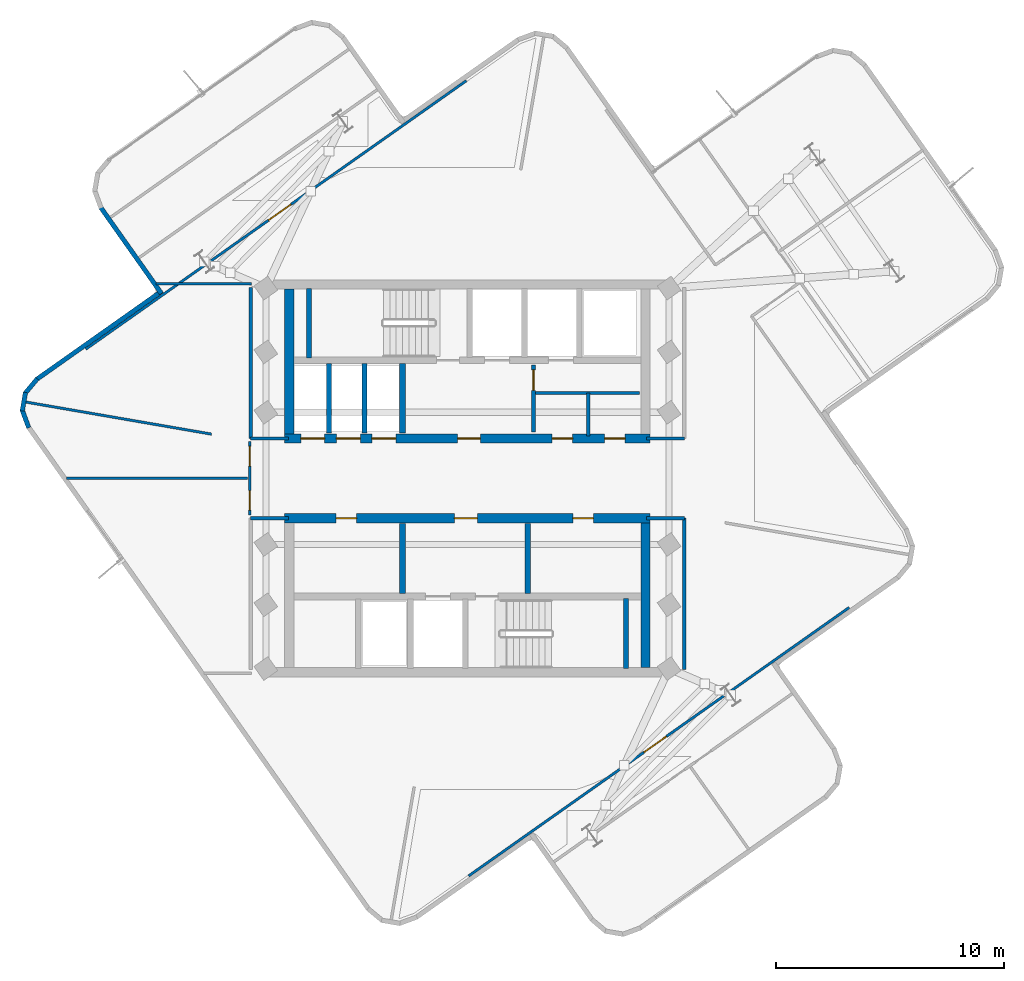
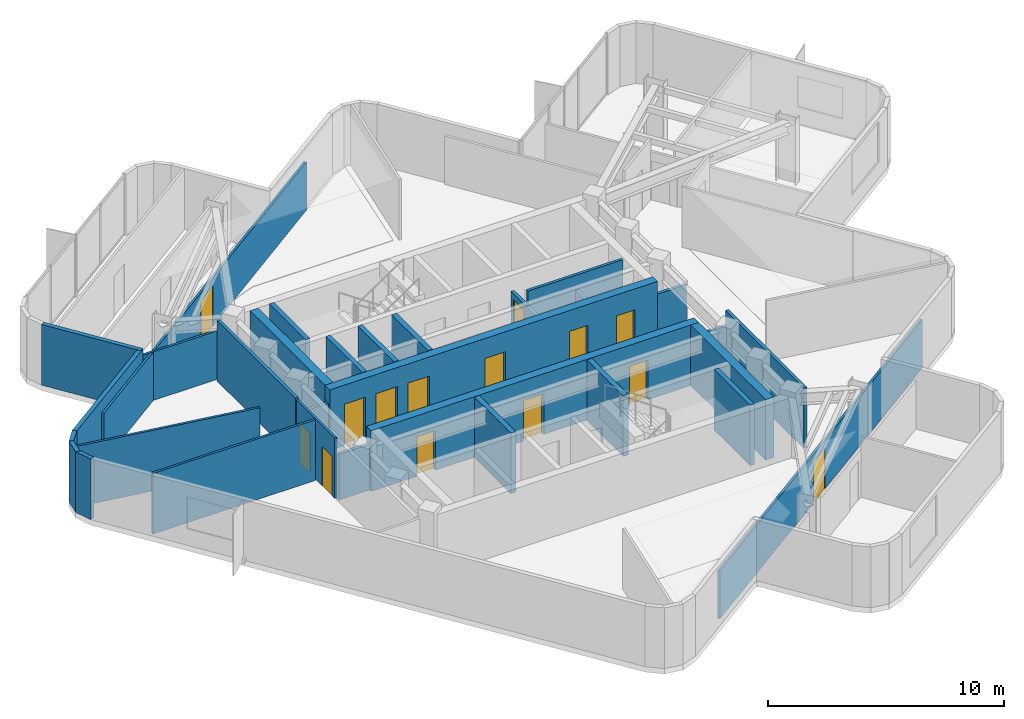
# One storey, part 4 of 8: 31 walls, 14 doors, 14 openings.
"""IFC4 building model written with IfcOpenShell, lengths in metres."""

from ifc_helpers import new_model, si_unit, direction, frame, frame_2d, origin, place, context, subcontext, project, spatial, rectangle, extrude, material, layer, layer_set, type_object, element, fill, save


model = new_model("IFC4")

# Units and contexts
model_context = context("Model", 3, precision=1e-05, world=origin(), true_north=direction((0.0, 1.0)))
body_context = subcontext(model_context, "Body", "Model", "MODEL_VIEW")
ifc_project = project(units=[si_unit("LENGTHUNIT", "METRE"), si_unit("AREAUNIT", "SQUARE_METRE"), si_unit("VOLUMEUNIT", "CUBIC_METRE"), si_unit("PLANEANGLEUNIT", "RADIAN"), si_unit("MASSUNIT", "GRAM", prefix="KILO")], contexts=[model_context])

# Site, building, storey
site_placement = place(None, origin())
site = spatial("IfcSite", under=ifc_project, at=site_placement, CompositionType="ELEMENT")
building_placement = place(site_placement, origin())
building = spatial("IfcBuilding", under=site, at=building_placement, Name="Solmarez Civic Tower", CompositionType="ELEMENT")
storey_placement = place(building_placement, frame((0.0, 0.0, 225.719970703125)))
storey = spatial("IfcBuildingStorey", under=building, at=storey_placement, Name="L60", CompositionType="ELEMENT", Elevation=225.719970703125)

# Wall, openings, doors
ifc_material_1 = material(Name="Concrete C50/60", Category="concrete")
ifc_layer_1 = layer(ifc_material_1, 0.39990234375)
ifc_layer_set_1 = layer_set([ifc_layer_1], Name="Concrete C50/60")
wall_type_1 = type_object("IfcWallType", Name="WALL-CORE-400", PredefinedType="SHEAR", material=ifc_layer_set_1)
wall_1_placement = place(storey_placement, frame((8.02001953125, 1.75, 0.0), z_axis=(0.0, 0.0, 1.0), x_axis=(-1.0, 0.0, 0.0)))
wall_1 = element("IfcWall", 1, at=wall_1_placement, inside=storey, type_object=wall_type_1, Name="L60 Split-Core Structural Wall NCW-S-L60", PredefinedType="SHEAR", context=body_context, shape_type="SweptSolid", body=[
    extrude(rectangle(XDim=16.0400390625, YDim=0.39990234375, at=frame_2d((8.02001953125, 0.0))), origin(), (0.0, 0.0, 1.0), 3.14013671875),
])
opening_1_placement = place(wall_1_placement, frame((7.449951171875, 0.0, 0.0)))
opening_1 = element("IfcOpeningElement", 2, at=opening_1_placement, cuts=wall_1, Name="Opening D-04", PredefinedType="OPENING", context=body_context, shape_type="SweptSolid", body=[
    extrude(rectangle(XDim=1.0, YDim=2.10009765625, at=frame_2d((0.5, 1.050048828125))), frame((0.0, 0.2099609375, 0.0), z_axis=(0.0, -1.0, 0.0), x_axis=(1.0, 0.0, 0.0)), (0.0, 0.0, 1.0), 0.419921875),
])
opening_2_placement = place(wall_1_placement, frame((14.284912109375, 0.0, 0.0)))
opening_2 = element("IfcOpeningElement", 3, at=opening_2_placement, cuts=wall_1, Name="Opening LD-01", PredefinedType="OPENING", context=body_context, shape_type="SweptSolid", body=[
    extrude(rectangle(XDim=1.050048828125, YDim=2.14990234375, at=frame_2d((0.52490234375, 1.074951171875))), frame((0.0, 0.2099609375, 0.0), z_axis=(0.0, -1.0, 0.0), x_axis=(1.0, 0.0, 0.0)), (0.0, 0.0, 1.0), 0.419921875),
])
opening_3_placement = place(wall_1_placement, frame((12.72509765625, 0.0, 0.0)))
opening_3 = element("IfcOpeningElement", 4, at=opening_3_placement, cuts=wall_1, Name="Opening LD-01", PredefinedType="OPENING", context=body_context, shape_type="SweptSolid", body=[
    extrude(rectangle(XDim=1.050048828125, YDim=2.14990234375, at=frame_2d((0.52490234375, 1.074951171875))), frame((0.0, 0.2099609375, 0.0), z_axis=(0.0, -1.0, 0.0), x_axis=(1.0, 0.0, 0.0)), (0.0, 0.0, 1.0), 0.419921875),
])
opening_4_placement = place(wall_1_placement, frame((11.1650390625, 0.0, 0.0)))
opening_4 = element("IfcOpeningElement", 5, at=opening_4_placement, cuts=wall_1, Name="Opening LD-01", PredefinedType="OPENING", context=body_context, shape_type="SweptSolid", body=[
    extrude(rectangle(XDim=1.050048828125, YDim=2.14990234375, at=frame_2d((0.52490234375, 1.074951171875))), frame((0.0, 0.2099609375, 0.0), z_axis=(0.0, -1.0, 0.0), x_axis=(1.0, 0.0, 0.0)), (0.0, 0.0, 1.0), 0.419921875),
])
opening_5_placement = place(wall_1_placement, frame((3.39990234375, 0.0, 0.0)))
opening_5 = element("IfcOpeningElement", 6, at=opening_5_placement, cuts=wall_1, Name="Opening D-09", PredefinedType="OPENING", context=body_context, shape_type="SweptSolid", body=[
    extrude(rectangle(XDim=0.89990234375, YDim=2.06005859375, at=frame_2d((0.449951171875, 1.030029296875))), frame((0.0, 0.2099609375, 0.0), z_axis=(0.0, -1.0, 0.0), x_axis=(1.0, 0.0, 0.0)), (0.0, 0.0, 1.0), 0.419921875),
])
opening_6_placement = place(wall_1_placement, frame((1.10009765625, 0.0, 0.0)))
opening_6 = element("IfcOpeningElement", 7, at=opening_6_placement, cuts=wall_1, Name="Opening D-09", PredefinedType="OPENING", context=body_context, shape_type="SweptSolid", body=[
    extrude(rectangle(XDim=0.89990234375, YDim=2.06005859375, at=frame_2d((0.449951171875, 1.030029296875))), frame((0.0, 0.2099609375, 0.0), z_axis=(0.0, -1.0, 0.0), x_axis=(1.0, 0.0, 0.0)), (0.0, 0.0, 1.0), 0.419921875),
])
ifc_material_2 = material(Name="Steel-Faced Acoustic Fire Door", Category="steel")
door_type_1 = type_object("IfcDoorType", Name="DOOR-FD60-1000", OperationType="NOTDEFINED", PredefinedType="DOOR", material=ifc_material_2)
door_1_placement = place(opening_1_placement, origin())
door_1 = element("IfcDoor", 8, at=door_1_placement, inside=storey, type_object=door_type_1, Name="L60 North Firefighting Lobby Door", OperationType="SINGLE_SWING_LEFT", OverallHeight=2.10009765625, OverallWidth=1.0, PredefinedType="DOOR", context=body_context, shape_type="SweptSolid", body=[
    extrude(rectangle(XDim=1.0, YDim=2.10009765625, at=frame_2d((0.5, 1.050048828125))), frame((0.0, 0.02490234375, 0.0), z_axis=(0.0, -1.0, 0.0), x_axis=(1.0, 0.0, 0.0)), (0.0, 0.0, 1.0), 0.050048828125),
])
fill(opening_1, door_1)
ifc_material_3 = material(Name="Fire-Rated Service Core Door", Category="wood")
door_type_2 = type_object("IfcDoorType", Name="DOOR-FD60-900", OperationType="NOTDEFINED", PredefinedType="DOOR", material=ifc_material_3)
door_2_placement = place(opening_5_placement, origin())
door_2 = element("IfcDoor", 9, at=door_2_placement, inside=storey, type_object=door_type_2, Name="L60 Core WC Door", OperationType="SINGLE_SWING_LEFT", OverallHeight=2.06005859375, OverallWidth=0.89990234375, PredefinedType="DOOR", context=body_context, shape_type="SweptSolid", body=[
    extrude(rectangle(XDim=0.89990234375, YDim=2.06005859375, at=frame_2d((0.449951171875, 1.030029296875))), frame((0.0, 0.02490234375, 0.0), z_axis=(0.0, -1.0, 0.0), x_axis=(1.0, 0.0, 0.0)), (0.0, 0.0, 1.0), 0.050048828125),
])
fill(opening_5, door_2)
door_3_placement = place(opening_6_placement, origin())
door_3 = element("IfcDoor", 10, at=door_3_placement, inside=storey, type_object=door_type_2, Name="L60 Core CL Door", OperationType="SINGLE_SWING_RIGHT", OverallHeight=2.06005859375, OverallWidth=0.89990234375, PredefinedType="DOOR", context=body_context, shape_type="SweptSolid", body=[
    extrude(rectangle(XDim=0.89990234375, YDim=2.06005859375, at=frame_2d((0.449951171875, 1.030029296875))), frame((0.0, 0.02490234375, 0.0), z_axis=(0.0, -1.0, 0.0), x_axis=(1.0, 0.0, 0.0)), (0.0, 0.0, 1.0), 0.050048828125),
])
fill(opening_6, door_3)
ifc_material_4 = material(Name="Bronze Passenger Lift Landing Sliding Door", Category="aluminium")
door_type_3 = type_object("IfcDoorType", Name="DOOR-LD-PAX-1050", OperationType="DOUBLE_DOOR_SLIDING", PredefinedType="DOOR", material=ifc_material_4)
door_4_placement = place(opening_2_placement, origin())
door_4 = element("IfcDoor", 11, at=door_4_placement, inside=storey, type_object=door_type_3, Name="L60 High-Rise Lift Landing Door PL-H1", OperationType="DOUBLE_DOOR_SLIDING", OverallHeight=2.14990234375, OverallWidth=1.050048828125, PredefinedType="DOOR", context=body_context, shape_type="SweptSolid", body=[
    extrude(rectangle(XDim=1.050048828125, YDim=2.14990234375, at=frame_2d((0.52490234375, 1.074951171875))), frame((0.0, 0.02490234375, 0.0), z_axis=(0.0, -1.0, 0.0), x_axis=(1.0, 0.0, 0.0)), (0.0, 0.0, 1.0), 0.050048828125),
])
fill(opening_2, door_4)
door_5_placement = place(opening_3_placement, origin())
door_5 = element("IfcDoor", 12, at=door_5_placement, inside=storey, type_object=door_type_3, Name="L60 High-Rise Lift Landing Door PL-H2", OperationType="DOUBLE_DOOR_SLIDING", OverallHeight=2.14990234375, OverallWidth=1.050048828125, PredefinedType="DOOR", context=body_context, shape_type="SweptSolid", body=[
    extrude(rectangle(XDim=1.050048828125, YDim=2.14990234375, at=frame_2d((0.52490234375, 1.074951171875))), frame((0.0, 0.02490234375, 0.0), z_axis=(0.0, -1.0, 0.0), x_axis=(1.0, 0.0, 0.0)), (0.0, 0.0, 1.0), 0.050048828125),
])
fill(opening_3, door_5)
door_6_placement = place(opening_4_placement, origin())
door_6 = element("IfcDoor", 13, at=door_6_placement, inside=storey, type_object=door_type_3, Name="L60 High-Rise Lift Landing Door PL-H3", OperationType="DOUBLE_DOOR_SLIDING", OverallHeight=2.14990234375, OverallWidth=1.050048828125, PredefinedType="DOOR", context=body_context, shape_type="SweptSolid", body=[
    extrude(rectangle(XDim=1.050048828125, YDim=2.14990234375, at=frame_2d((0.52490234375, 1.074951171875))), frame((0.0, 0.02490234375, 0.0), z_axis=(0.0, -1.0, 0.0), x_axis=(1.0, 0.0, 0.0)), (0.0, 0.0, 1.0), 0.050048828125),
])
fill(opening_4, door_6)

# Wall
wall_2_placement = place(storey_placement, frame((-7.820068359375, 1.949951171875, 0.0), z_axis=(0.0, 0.0, 1.0), x_axis=(0.0, 1.0, 0.0)))
element("IfcWall", 14, at=wall_2_placement, inside=storey, type_object=wall_type_1, Name="L60 Split-Core Structural Wall NCW-W-L60", PredefinedType="SHEAR", context=body_context, shape_type="SweptSolid", body=[
    extrude(rectangle(XDim=6.360107421875, YDim=0.39990234375, at=frame_2d((3.18017578125, 0.0))), origin(), (0.0, 0.0, 1.0), 3.14013671875),
])

# Wall, openings, doors
wall_3_placement = place(storey_placement, frame((-8.02001953125, -1.75, 0.0), z_axis=(0.0, 0.0, 1.0), x_axis=(1.0, 0.0, 0.0)))
wall_3 = element("IfcWall", 15, at=wall_3_placement, inside=storey, type_object=wall_type_1, Name="L60 Split-Core Structural Wall SCW-N-L60", PredefinedType="SHEAR", context=body_context, shape_type="SweptSolid", body=[
    extrude(rectangle(XDim=16.0400390625, YDim=0.39990234375, at=frame_2d((8.02001953125, 0.0))), origin(), (0.0, 0.0, 1.0), 3.14013671875),
])
opening_7_placement = place(wall_3_placement, frame((7.449951171875, 0.0, 0.0)))
opening_7 = element("IfcOpeningElement", 16, at=opening_7_placement, cuts=wall_3, Name="Opening D-04", PredefinedType="OPENING", context=body_context, shape_type="SweptSolid", body=[
    extrude(rectangle(XDim=1.0, YDim=2.10009765625, at=frame_2d((0.5, 1.050048828125))), frame((0.0, 0.2099609375, 0.0), z_axis=(0.0, -1.0, 0.0), x_axis=(1.0, 0.0, 0.0)), (0.0, 0.0, 1.0), 0.419921875),
])
opening_8_placement = place(wall_3_placement, frame((12.64990234375, 0.0, 0.0)))
opening_8 = element("IfcOpeningElement", 17, at=opening_8_placement, cuts=wall_3, Name="Opening D-09", PredefinedType="OPENING", context=body_context, shape_type="SweptSolid", body=[
    extrude(rectangle(XDim=0.89990234375, YDim=2.06005859375, at=frame_2d((0.449951171875, 1.030029296875))), frame((0.0, 0.2099609375, 0.0), z_axis=(0.0, -1.0, 0.0), x_axis=(1.0, 0.0, 0.0)), (0.0, 0.0, 1.0), 0.419921875),
])
opening_9_placement = place(wall_3_placement, frame((2.25, 0.0, 0.0)))
opening_9 = element("IfcOpeningElement", 18, at=opening_9_placement, cuts=wall_3, Name="Opening D-09", PredefinedType="OPENING", context=body_context, shape_type="SweptSolid", body=[
    extrude(rectangle(XDim=0.89990234375, YDim=2.06005859375, at=frame_2d((0.449951171875, 1.030029296875))), frame((0.0, 0.2099609375, 0.0), z_axis=(0.0, -1.0, 0.0), x_axis=(1.0, 0.0, 0.0)), (0.0, 0.0, 1.0), 0.419921875),
])
door_7_placement = place(opening_7_placement, origin())
door_7 = element("IfcDoor", 19, at=door_7_placement, inside=storey, type_object=door_type_1, Name="L60 South Firefighting Lobby Door", OperationType="SINGLE_SWING_RIGHT", OverallHeight=2.10009765625, OverallWidth=1.0, PredefinedType="DOOR", context=body_context, shape_type="SweptSolid", body=[
    extrude(rectangle(XDim=1.0, YDim=2.10009765625, at=frame_2d((0.5, 1.050048828125))), frame((0.0, 0.02490234375, 0.0), z_axis=(0.0, -1.0, 0.0), x_axis=(1.0, 0.0, 0.0)), (0.0, 0.0, 1.0), 0.050048828125),
])
fill(opening_7, door_7)
door_8_placement = place(opening_8_placement, origin())
door_8 = element("IfcDoor", 20, at=door_8_placement, inside=storey, type_object=door_type_2, Name="L60 Freed Hoistway Mailroom Door", OperationType="SINGLE_SWING_LEFT", OverallHeight=2.06005859375, OverallWidth=0.89990234375, PredefinedType="DOOR", context=body_context, shape_type="SweptSolid", body=[
    extrude(rectangle(XDim=0.89990234375, YDim=2.06005859375, at=frame_2d((0.449951171875, 1.030029296875))), frame((0.0, 0.02490234375, 0.0), z_axis=(0.0, -1.0, 0.0), x_axis=(1.0, 0.0, 0.0)), (0.0, 0.0, 1.0), 0.050048828125),
])
fill(opening_8, door_8)
door_9_placement = place(opening_9_placement, origin())
door_9 = element("IfcDoor", 21, at=door_9_placement, inside=storey, type_object=door_type_2, Name="L60 Delegation Tea Pantry Door", OperationType="SINGLE_SWING_RIGHT", OverallHeight=2.06005859375, OverallWidth=0.89990234375, PredefinedType="DOOR", context=body_context, shape_type="SweptSolid", body=[
    extrude(rectangle(XDim=0.89990234375, YDim=2.06005859375, at=frame_2d((0.449951171875, 1.030029296875))), frame((0.0, 0.02490234375, 0.0), z_axis=(0.0, -1.0, 0.0), x_axis=(1.0, 0.0, 0.0)), (0.0, 0.0, 1.0), 0.050048828125),
])
fill(opening_9, door_9)

# Walls
wall_4_placement = place(storey_placement, frame((7.820068359375, -1.949951171875, 0.0), z_axis=(0.0, 0.0, 1.0), x_axis=(0.0, -1.0, 0.0)))
element("IfcWall", 22, at=wall_4_placement, inside=storey, type_object=wall_type_1, Name="L60 Split-Core Structural Wall SCW-E-L60", PredefinedType="SHEAR", context=body_context, shape_type="SweptSolid", body=[
    extrude(rectangle(XDim=6.360107421875, YDim=0.39990234375, at=frame_2d((3.18017578125, 0.0))), origin(), (0.0, 0.0, 1.0), 3.14013671875),
])
ifc_material_5 = material(Name="Precast concrete C40/50", Category="concrete")
ifc_layer_2 = layer(ifc_material_5, 0.199951171875)
ifc_layer_set_2 = layer_set([ifc_layer_2], Name="Precast concrete C40/50")
wall_type_2 = type_object("IfcWallType", Name="WALL-EXT-200", PredefinedType="SOLIDWALL", material=ifc_layer_set_2)
wall_5_placement = place(storey_placement, frame((-19.256103515625, 2.218994140625, 0.0), z_axis=(0.0, 0.0, 1.0), x_axis=(-0.345975487894, 0.938243551417, 0.0)))
element("IfcWall", 23, at=wall_5_placement, inside=storey, type_object=wall_type_2, Name="L60 Exterior Precast Wall 7", PredefinedType="SOLIDWALL", context=body_context, shape_type="SweptSolid", body=[
    extrude(rectangle(XDim=0.837646484375, YDim=0.199951171875, at=frame_2d((0.4189453125, 0.0))), origin(), (0.0, 0.0, 1.0), 3.14013671875),
])
wall_6_placement = place(storey_placement, frame((-19.541015625, 2.95703125, 0.0), z_axis=(0.0, 0.0, 1.0), x_axis=(0.169867275979, 0.985466949497, 0.0)))
element("IfcWall", 24, at=wall_6_placement, inside=storey, type_object=wall_type_2, Name="L60 Exterior Precast Wall 8", PredefinedType="SOLIDWALL", context=body_context, shape_type="SweptSolid", body=[
    extrude(rectangle(XDim=0.824951171875, YDim=0.199951171875, at=frame_2d((0.41259765625, 0.0))), origin(), (0.0, 0.0, 1.0), 3.14013671875),
])
wall_7_placement = place(storey_placement, frame((-19.4208984375, 3.72607421875, 0.0), z_axis=(0.0, 0.0, 1.0), x_axis=(0.639610986305, 0.768698761673, 0.0)))
element("IfcWall", 25, at=wall_7_placement, inside=storey, type_object=wall_type_2, Name="L60 Exterior Precast Wall 9", PredefinedType="SOLIDWALL", context=body_context, shape_type="SweptSolid", body=[
    extrude(rectangle(XDim=0.837890625, YDim=0.199951171875, at=frame_2d((0.4189453125, 0.0))), origin(), (0.0, 0.0, 1.0), 3.14013671875),
])
wall_8_placement = place(storey_placement, frame((-18.9208984375, 4.3369140625, 0.0), z_axis=(0.0, 0.0, 1.0), x_axis=(0.817167578816, 0.576400163196, 0.0)))
element("IfcWall", 26, at=wall_8_placement, inside=storey, type_object=wall_type_2, Name="L60 Exterior Precast Wall 10", PredefinedType="SOLIDWALL", context=body_context, shape_type="SweptSolid", body=[
    extrude(rectangle(XDim=6.740234375, YDim=0.199951171875, at=frame_2d((3.3701171875, 0.0))), origin(), (0.0, 0.0, 1.0), 3.14013671875),
])
wall_9_placement = place(storey_placement, frame((-13.431884765625, 8.111083984375, 0.0), z_axis=(0.0, 0.0, 1.0), x_axis=(-0.576445639344, 0.817135499707, 0.0)))
element("IfcWall", 27, at=wall_9_placement, inside=storey, type_object=wall_type_2, Name="L60 Exterior Precast Wall 13", PredefinedType="SOLIDWALL", context=body_context, shape_type="SweptSolid", body=[
    extrude(rectangle(XDim=4.640625, YDim=0.199951171875, at=frame_2d((2.3203125, 0.0))), origin(), (0.0, 0.0, 1.0), 3.14013671875),
])
ifc_material_6 = material(Name="Gypsum Board Acoustic Steel-Stud Partition", Category="steel")
ifc_layer_3 = layer(ifc_material_6, 0.14990234375)
ifc_layer_set_3 = layer_set([ifc_layer_3], Name="Gypsum Board Acoustic Steel-Stud Partition")
wall_type_3 = type_object("IfcWallType", Name="WALL-INT-FIRE-150", PredefinedType="PARTITIONING", material=ifc_layer_set_3)
wall_10_placement = place(storey_placement, frame((-9.52001953125, 1.75, 0.0), z_axis=(0.0, 0.0, 1.0), x_axis=(0.0, 1.0, 0.0)))
element("IfcWall", 28, at=wall_10_placement, inside=storey, type_object=wall_type_3, Name="L60 Interior Partition CHW-L60-WN1", PredefinedType="PARTITIONING", context=body_context, shape_type="SweptSolid", body=[
    extrude(rectangle(XDim=6.6298828125, YDim=0.14990234375, at=frame_2d((3.31494140625, 0.0))), origin(), (0.0, 0.0, 1.0), 3.14013671875),
])
for number, where, z_axis, x_axis, name in (
    (29, (-7.85009765625, 1.75, 0.0), (0.0, 0.0, 1.0), (-1.0, 0.0, 0.0), "L60 Interior Partition CHW-L60-WN3"),
    (30, (-7.85009765625, -1.75, 0.0), (0.0, 0.0, 1.0), (-1.0, 0.0, 0.0), "L60 Interior Partition CHW-L60-WS3"),
    (31, (7.85009765625, 1.75, 0.0), (0.0, 0.0, 1.0), (1.0, 0.0, 0.0), "L60 Interior Partition CHW-L60-EN3"),
):
    element("IfcWall", number, at=place(storey_placement, frame(where, z_axis=z_axis, x_axis=x_axis)), inside=storey, type_object=wall_type_3, Name=name, PredefinedType="PARTITIONING", context=body_context, shape_type="SweptSolid", body=[
        extrude(rectangle(XDim=1.669921875, YDim=0.14990234375, at=frame_2d((0.8349609375, 0.0))), origin(), (0.0, 0.0, 1.0), 2.3701171875),
    ])
wall_11_placement = place(storey_placement, frame((9.52001953125, -8.3798828125, 0.0), z_axis=(0.0, 0.0, 1.0), x_axis=(0.0, 1.0, 0.0)))
element("IfcWall", 32, at=wall_11_placement, inside=storey, type_object=wall_type_3, Name="L60 Interior Partition CHW-L60-ES1", PredefinedType="PARTITIONING", context=body_context, shape_type="SweptSolid", body=[
    extrude(rectangle(XDim=6.6298828125, YDim=0.14990234375, at=frame_2d((3.31494140625, 0.0))), origin(), (0.0, 0.0, 1.0), 3.14013671875),
])
wall_12_placement = place(storey_placement, frame((7.85009765625, -1.75, 0.0), z_axis=(0.0, 0.0, 1.0), x_axis=(1.0, 0.0, 0.0)))
element("IfcWall", 33, at=wall_12_placement, inside=storey, type_object=wall_type_3, Name="L60 Interior Partition CHW-L60-ES3", PredefinedType="PARTITIONING", context=body_context, shape_type="SweptSolid", body=[
    extrude(rectangle(XDim=1.669921875, YDim=0.14990234375, at=frame_2d((0.8349609375, 0.0))), origin(), (0.0, 0.0, 1.0), 2.3701171875),
])
ifc_layer_4 = layer(ifc_material_6, 0.110107421875)
ifc_layer_set_4 = layer_set([ifc_layer_4], Name="Gypsum Board Acoustic Steel-Stud Partition")
wall_type_4 = type_object("IfcWallType", Name="WALL-INT-PART-110", PredefinedType="PARTITIONING", material=ifc_layer_set_4)
wall_13_placement = place(storey_placement, frame((-17.60400390625, 0.0, 0.0), z_axis=(0.0, 0.0, 1.0), x_axis=(1.0, 0.0, 0.0)))
element("IfcWall", 34, at=wall_13_placement, inside=storey, type_object=wall_type_4, Name="L60 Interior Partition PT-L60-WH-DIV", PredefinedType="PARTITIONING", context=body_context, shape_type="SweptSolid", body=[
    extrude(rectangle(XDim=7.944091796875, YDim=0.110107421875, at=frame_2d((3.97216796875, 0.0))), origin(), (0.0, 0.0, 1.0), 3.14013671875),
])
wall_14_placement = place(storey_placement, frame((-13.662109375, 8.550048828125, 0.0), z_axis=(0.0, 0.0, 1.0), x_axis=(1.0, 0.0, 0.0)))
element("IfcWall", 35, at=wall_14_placement, inside=storey, type_object=wall_type_4, Name="L60 Interior Partition PT-L60-WH-BN", PredefinedType="PARTITIONING", context=body_context, shape_type="SweptSolid", body=[
    extrude(rectangle(XDim=4.18212890625, YDim=0.110107421875, at=frame_2d((2.091064453125, 0.0))), origin(), (0.0, 0.0, 1.0), 2.510009765625),
])

# Wall, openings, doors
wall_15_placement = place(storey_placement, frame((-9.56005859375, -1.6201171875, 0.0), z_axis=(0.0, 0.0, 1.0), x_axis=(0.0, 1.0, 0.0)))
wall_15 = element("IfcWall", 36, at=wall_15_placement, inside=storey, type_object=wall_type_4, Name="L60 Interior Partition PT-L60-WH-ENT", PredefinedType="PARTITIONING", context=body_context, shape_type="SweptSolid", body=[
    extrude(rectangle(XDim=3.240234375, YDim=0.110107421875, at=frame_2d((1.6201171875, 0.0))), origin(), (0.0, 0.0, 1.0), 3.14013671875),
])
opening_10_placement = place(wall_15_placement, frame((0.219970703125, 0.0, 0.0)))
opening_10 = element("IfcOpeningElement", 37, at=opening_10_placement, cuts=wall_15, Name="Opening D-14", PredefinedType="OPENING", context=body_context, shape_type="SweptSolid", body=[
    extrude(rectangle(XDim=0.860107421875, YDim=2.0400390625, at=frame_2d((0.43017578125, 1.02001953125))), frame((0.0, 0.06494140625, 0.0), z_axis=(0.0, -1.0, 0.0), x_axis=(1.0, 0.0, 0.0)), (0.0, 0.0, 1.0), 0.130126953125),
])
opening_11_placement = place(wall_15_placement, frame((2.159912109375, 0.0, 0.0)))
opening_11 = element("IfcOpeningElement", 38, at=opening_11_placement, cuts=wall_15, Name="Opening D-14", PredefinedType="OPENING", context=body_context, shape_type="SweptSolid", body=[
    extrude(rectangle(XDim=0.860107421875, YDim=2.0400390625, at=frame_2d((0.43017578125, 1.02001953125))), frame((0.0, 0.06494140625, 0.0), z_axis=(0.0, -1.0, 0.0), x_axis=(1.0, 0.0, 0.0)), (0.0, 0.0, 1.0), 0.130126953125),
])
ifc_material_7 = material(Name="Timber Storage and Pantry Door", Category="wood")
door_type_4 = type_object("IfcDoorType", Name="DOOR-INT-850", OperationType="NOTDEFINED", PredefinedType="DOOR", material=ifc_material_7)
door_10_placement = place(opening_10_placement, origin())
door_10 = element("IfcDoor", 39, at=door_10_placement, inside=storey, type_object=door_type_4, Name="L60 Legal Counselling Room West Second Door", OperationType="SINGLE_SWING_RIGHT", OverallHeight=2.0400390625, OverallWidth=0.860107421875, PredefinedType="DOOR", context=body_context, shape_type="SweptSolid", body=[
    extrude(rectangle(XDim=0.860107421875, YDim=2.0400390625, at=frame_2d((0.43017578125, 1.02001953125))), frame((0.0, 0.02490234375, 0.0), z_axis=(0.0, -1.0, 0.0), x_axis=(1.0, 0.0, 0.0)), (0.0, 0.0, 1.0), 0.050048828125),
])
fill(opening_10, door_10)
door_11_placement = place(opening_11_placement, origin())
door_11 = element("IfcDoor", 40, at=door_11_placement, inside=storey, type_object=door_type_4, Name="L60 Directorate Office West First Door", OperationType="SINGLE_SWING_LEFT", OverallHeight=2.0400390625, OverallWidth=0.860107421875, PredefinedType="DOOR", context=body_context, shape_type="SweptSolid", body=[
    extrude(rectangle(XDim=0.860107421875, YDim=2.0400390625, at=frame_2d((0.43017578125, 1.02001953125))), frame((0.0, 0.02490234375, 0.0), z_axis=(0.0, -1.0, 0.0), x_axis=(1.0, 0.0, 0.0)), (0.0, 0.0, 1.0), 0.050048828125),
])
fill(opening_11, door_11)

# Wall
wall_16_placement = place(storey_placement, frame((-11.23388671875, 1.93994140625, 0.0), z_axis=(0.0, 0.0, 1.0), x_axis=(-0.985400402951, 0.170252887973, 0.0)))
element("IfcWall", 41, at=wall_16_placement, inside=storey, type_object=wall_type_4, Name="L60 Interior Partition PT-L60-QDIV-2", PredefinedType="PARTITIONING", context=body_context, shape_type="SweptSolid", body=[
    extrude(rectangle(XDim=8.294189453125, YDim=0.110107421875, at=frame_2d((4.14697265625, 0.0))), origin(), (0.0, 0.0, 1.0), 3.14013671875),
])

# Wall, opening, door
wall_17_placement = place(storey_placement, frame((-16.751953125, 5.6708984375, 0.0), z_axis=(0.0, 0.0, 1.0), x_axis=(0.81715881447, 0.576412588285, 0.0)))
wall_17 = element("IfcWall", 42, at=wall_17_placement, inside=storey, type_object=wall_type_4, Name="L60 Interior Partition PT-L60-N-ENT", PredefinedType="PARTITIONING", context=body_context, shape_type="SweptSolid", body=[
    extrude(rectangle(XDim=20.440185546875, YDim=0.110107421875, at=frame_2d((10.22021484375, 0.0))), origin(), (0.0, 0.0, 1.0), 2.510009765625),
])
opening_12_placement = place(wall_17_placement, frame((9.820068359375, 0.0, 0.0)))
opening_12 = element("IfcOpeningElement", 43, at=opening_12_placement, cuts=wall_17, Name="Opening D-11", PredefinedType="OPENING", context=body_context, shape_type="SweptSolid", body=[
    extrude(rectangle(XDim=1.199951171875, YDim=2.10009765625, at=frame_2d((0.60009765625, 1.050048828125))), frame((0.0, 0.06494140625, 0.0), z_axis=(0.0, -1.0, 0.0), x_axis=(1.0, 0.0, 0.0)), (0.0, 0.0, 1.0), 0.130126953125),
])
ifc_material_8 = material(Name="Glazed-Vision Acoustic Chamber Door", Category="wood")
door_type_5 = type_object("IfcDoorType", Name="DOOR-INT-1200", OperationType="NOTDEFINED", PredefinedType="DOOR", material=ifc_material_8)
door_12_placement = place(opening_12_placement, origin())
door_12 = element("IfcDoor", 44, at=door_12_placement, inside=storey, type_object=door_type_5, Name="L60 Policy Administration Office First North Door", OperationType="SINGLE_SWING_LEFT", OverallHeight=2.10009765625, OverallWidth=1.199951171875, PredefinedType="DOOR", context=body_context, shape_type="SweptSolid", body=[
    extrude(rectangle(XDim=1.199951171875, YDim=2.10009765625, at=frame_2d((0.60009765625, 1.050048828125))), frame((0.0, 0.02490234375, 0.0), z_axis=(0.0, -1.0, 0.0), x_axis=(1.0, 0.0, 0.0)), (0.0, 0.0, 1.0), 0.050048828125),
])
fill(opening_12, door_12)

wall_18_placement = place(storey_placement, frame((16.751953125, -5.6708984375, 0.0), z_axis=(0.0, 0.0, 1.0), x_axis=(-0.81715881447, -0.576412588285, 0.0)))
wall_18 = element("IfcWall", 45, at=wall_18_placement, inside=storey, type_object=wall_type_4, Name="L60 Interior Partition PT-L60-S-ENT", PredefinedType="PARTITIONING", context=body_context, shape_type="SweptSolid", body=[
    extrude(rectangle(XDim=20.440185546875, YDim=0.110107421875, at=frame_2d((10.22021484375, 0.0))), origin(), (0.0, 0.0, 1.0), 2.510009765625),
])
opening_13_placement = place(wall_18_placement, frame((9.820068359375, 0.0, 0.0)))
opening_13 = element("IfcOpeningElement", 46, at=opening_13_placement, cuts=wall_18, Name="Opening D-11", PredefinedType="OPENING", context=body_context, shape_type="SweptSolid", body=[
    extrude(rectangle(XDim=1.199951171875, YDim=2.10009765625, at=frame_2d((0.60009765625, 1.050048828125))), frame((0.0, 0.06494140625, 0.0), z_axis=(0.0, -1.0, 0.0), x_axis=(1.0, 0.0, 0.0)), (0.0, 0.0, 1.0), 0.130126953125),
])
door_13_placement = place(opening_13_placement, origin())
door_13 = element("IfcDoor", 47, at=door_13_placement, inside=storey, type_object=door_type_5, Name="L60 Legal Counselling Room First South Door", OperationType="SINGLE_SWING_LEFT", OverallHeight=2.10009765625, OverallWidth=1.199951171875, PredefinedType="DOOR", context=body_context, shape_type="SweptSolid", body=[
    extrude(rectangle(XDim=1.199951171875, YDim=2.10009765625, at=frame_2d((0.60009765625, 1.050048828125))), frame((0.0, 0.02490234375, 0.0), z_axis=(0.0, -1.0, 0.0), x_axis=(1.0, 0.0, 0.0)), (0.0, 0.0, 1.0), 0.050048828125),
])
fill(opening_13, door_13)

ifc_layer_5 = layer(ifc_material_6, 0.159912109375)
ifc_layer_set_5 = layer_set([ifc_layer_5], Name="Gypsum Board Acoustic Steel-Stud Partition")
wall_type_5 = type_object("IfcWallType", Name="WALL-INT-SHAFT-160", PredefinedType="PARTITIONING", material=ifc_layer_set_5)
wall_19_placement = place(storey_placement, frame((2.89990234375, 2.0400390625, 0.0), z_axis=(0.0, 0.0, 1.0), x_axis=(0.0, 1.0, 0.0)))
wall_19 = element("IfcWall", 48, at=wall_19_placement, inside=storey, type_object=wall_type_5, Name="L60 Interior Partition SHW-NL2-L60", PredefinedType="PARTITIONING", context=body_context, shape_type="SweptSolid", body=[
    extrude(rectangle(XDim=2.93994140625, YDim=0.159912109375, at=frame_2d((1.469970703125, 0.0))), origin(), (0.0, 0.0, 1.0), 2.3701171875),
])
opening_14_placement = place(wall_19_placement, frame((1.820068359375, 0.0, 0.0)))
opening_14 = element("IfcOpeningElement", 49, at=opening_14_placement, cuts=wall_19, Name="Opening D-09", PredefinedType="OPENING", context=body_context, shape_type="SweptSolid", body=[
    extrude(rectangle(XDim=0.89990234375, YDim=2.06005859375, at=frame_2d((0.449951171875, 1.030029296875))), frame((0.0, 0.08984375, 0.0), z_axis=(0.0, -1.0, 0.0), x_axis=(1.0, 0.0, 0.0)), (0.0, 0.0, 1.0), 0.179931640625),
])
door_14_placement = place(opening_14_placement, origin())
door_14 = element("IfcDoor", 50, at=door_14_placement, inside=storey, type_object=door_type_2, Name="L60 Service Lift Lobby Door", OperationType="SINGLE_SWING_LEFT", OverallHeight=2.06005859375, OverallWidth=0.89990234375, PredefinedType="DOOR", context=body_context, shape_type="SweptSolid", body=[
    extrude(rectangle(XDim=0.89990234375, YDim=2.06005859375, at=frame_2d((0.449951171875, 1.030029296875))), frame((0.0, 0.02490234375, 0.0), z_axis=(0.0, -1.0, 0.0), x_axis=(1.0, 0.0, 0.0)), (0.0, 0.0, 1.0), 0.050048828125),
])
fill(opening_14, door_14)

# Walls
ifc_layer_6 = layer(ifc_material_6, 0.137939453125)
ifc_layer_set_6 = layer_set([ifc_layer_6], Name="Gypsum Board Acoustic Steel-Stud Partition")
wall_type_6 = type_object("IfcWallType", Name="WALL-INT-WET-140", PredefinedType="PARTITIONING", material=ifc_layer_set_6)
wall_20_placement = place(storey_placement, frame((2.89990234375, 3.739990234375, 0.0), z_axis=(0.0, 0.0, 1.0), x_axis=(1.0, 0.0, 0.0)))
element("IfcWall", 51, at=wall_20_placement, inside=storey, type_object=wall_type_6, Name="L60 Interior Partition SHW-SVH-L60", PredefinedType="PARTITIONING", context=body_context, shape_type="SweptSolid", body=[
    extrude(rectangle(XDim=4.650146484375, YDim=0.137939453125, at=frame_2d((2.3251953125, 0.0))), origin(), (0.0, 0.0, 1.0), 3.14013671875),
])
wall_21_placement = place(storey_placement, frame((5.300048828125, 1.85009765625, 0.0), z_axis=(0.0, 0.0, 1.0), x_axis=(0.0, 1.0, 0.0)))
element("IfcWall", 52, at=wall_21_placement, inside=storey, type_object=wall_type_6, Name="L60 Interior Partition PT-NCSV-L60", PredefinedType="PARTITIONING", context=body_context, shape_type="SweptSolid", body=[
    extrude(rectangle(XDim=1.889892578125, YDim=0.137939453125, at=frame_2d((0.94482421875, 0.0))), origin(), (0.0, 0.0, 1.0), 2.3701171875),
])
ifc_layer_7 = layer(ifc_material_1, 0.300048828125)
ifc_layer_set_7 = layer_set([ifc_layer_7], Name="Concrete C50/60")
wall_type_7 = type_object("IfcWallType", Name="WALL-STR-300", PredefinedType="SOLIDWALL", material=ifc_layer_set_7)
for number, where, z_axis, x_axis, name in (
    (53, (-6.949951171875, 5.280029296875, 0.0), (0.0, 0.0, 1.0), (0.0, 1.0, 0.0), "L60 Split-Core Structural Wall SHW-NW-L60"),
    (54, (6.949951171875, -8.340087890625, 0.0), (0.0, 0.0, 1.0), (0.0, 1.0, 0.0), "L60 Split-Core Structural Wall SHW-SE-L60"),
):
    element("IfcWall", number, at=place(storey_placement, frame(where, z_axis=z_axis, x_axis=x_axis)), inside=storey, type_object=wall_type_7, Name=name, PredefinedType="SOLIDWALL", context=body_context, shape_type="SweptSolid", body=[
        extrude(rectangle(XDim=3.06005859375, YDim=0.219970703125, at=frame_2d((1.530029296875, 0.0))), origin(), (0.0, 0.0, 1.0), 3.14013671875),
    ])
for number, where, z_axis, x_axis, name in (
    (55, (-2.85009765625, 1.97998046875, 0.0), (0.0, 0.0, 1.0), (0.0, 1.0, 0.0), "L60 Split-Core Structural Wall SHW-NL1-L60"),
    (56, (-2.85009765625, -5.050048828125, 0.0), (0.0, 0.0, 1.0), (0.0, 1.0, 0.0), "L60 Split-Core Structural Wall SHW-SL1-L60"),
    (57, (2.64990234375, -5.050048828125, 0.0), (0.0, 0.0, 1.0), (0.0, 1.0, 0.0), "L60 Split-Core Structural Wall SHW-SL2-L60"),
):
    element("IfcWall", number, at=place(storey_placement, frame(where, z_axis=z_axis, x_axis=x_axis)), inside=storey, type_object=wall_type_7, Name=name, PredefinedType="SOLIDWALL", context=body_context, shape_type="SweptSolid", body=[
        extrude(rectangle(XDim=3.070068359375, YDim=0.25, at=frame_2d((1.53515625, 0.0))), origin(), (0.0, 0.0, 1.0), 3.14013671875),
    ])
for number, where, z_axis, x_axis, name in (
    (58, (-6.080078125, 1.97998046875, 0.0), (0.0, 0.0, 1.0), (0.0, 1.0, 0.0), "L60 Split-Core Structural Wall SHW-PLH-L60-1"),
    (59, (-4.52001953125, 1.97998046875, 0.0), (0.0, 0.0, 1.0), (0.0, 1.0, 0.0), "L60 Split-Core Structural Wall SHW-PLH-L60-2"),
):
    element("IfcWall", number, at=place(storey_placement, frame(where, z_axis=z_axis, x_axis=x_axis)), inside=storey, type_object=wall_type_7, Name=name, PredefinedType="SOLIDWALL", context=body_context, shape_type="SweptSolid", body=[
        extrude(rectangle(XDim=3.070068359375, YDim=0.219970703125, at=frame_2d((1.53515625, 0.0))), origin(), (0.0, 0.0, 1.0), 3.14013671875),
    ])

save(model, "model.ifc")
